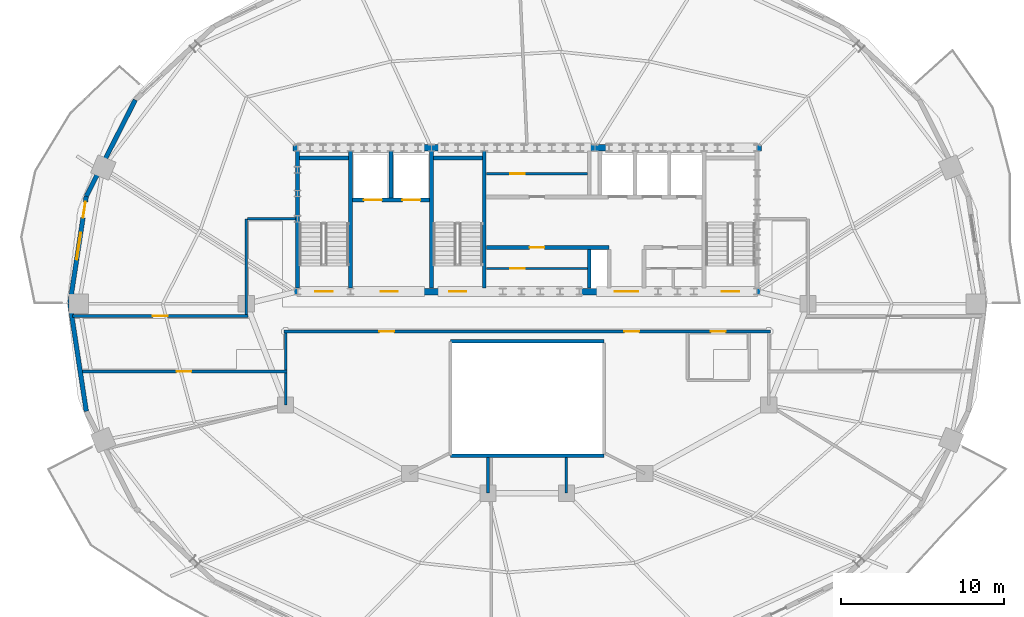
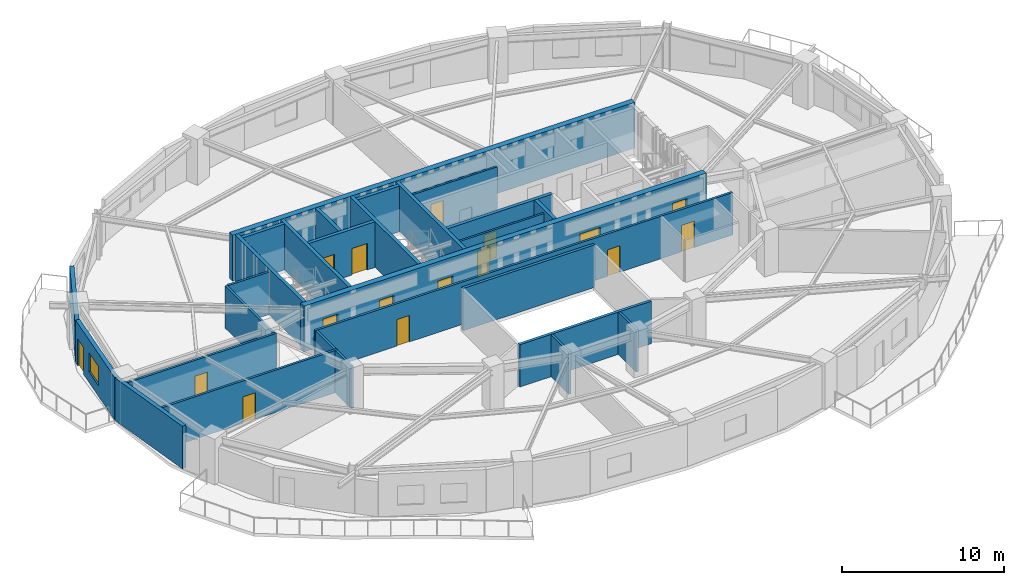
# One storey, part 4 of 11: 28 walls, 16 doors, 1 window, 17 openings.
"""IFC4 building model written with IfcOpenShell, lengths in metres."""

from ifc_helpers import new_model, si_unit, direction, frame, frame_2d, origin, place, context, subcontext, project, spatial, rectangle, extrude, material, layer, layer_set, type_object, element, fill, save


model = new_model("IFC4")

# Units and contexts
model_context = context("Model", 3, precision=1e-05, world=origin(), true_north=direction((0.0, 1.0)))
body_context = subcontext(model_context, "Body", "Model", "MODEL_VIEW")
ifc_project = project(units=[si_unit("LENGTHUNIT", "METRE"), si_unit("AREAUNIT", "SQUARE_METRE"), si_unit("VOLUMEUNIT", "CUBIC_METRE"), si_unit("PLANEANGLEUNIT", "RADIAN"), si_unit("MASSUNIT", "GRAM", prefix="KILO")], contexts=[model_context])

# Site, building, storey
site_placement = place(None, origin())
site = spatial("IfcSite", under=ifc_project, at=site_placement, CompositionType="ELEMENT")
building_placement = place(site_placement, origin())
building = spatial("IfcBuilding", under=site, at=building_placement, Name="Haldorwick Loom Tower", CompositionType="ELEMENT")
storey_placement = place(building_placement, frame((0.0, 0.0, 215.199951171875)))
storey = spatial("IfcBuildingStorey", under=building, at=storey_placement, Name="L58", CompositionType="ELEMENT", Elevation=215.199951171875)

# Wall
ifc_material_1 = material(Name="Pressed Clay Face Brick and Insulated Masonry Backup Assembly", Category="masonry")
ifc_layer_1 = layer(ifc_material_1, 0.280029296875, Name="Pressed Clay Face Brick and Insulated Masonry Backup Assembly", Category="masonry")
ifc_layer_set_1 = layer_set([ifc_layer_1], Name="Pressed Clay Face Brick and Insulated Masonry Backup Assembly")
wall_type_1 = type_object("IfcWallType", Name="ARC-WL-EXT280", PredefinedType="STANDARD", material=ifc_layer_set_1)
wall_1_placement = place(storey_placement, frame((11.994384765625, 38.4853515625, 0.0), z_axis=(0.0, 0.0, 1.0), x_axis=(-0.453032066879, -0.89149422117, 0.0)))
element("IfcWall", 1, at=wall_1_placement, inside=storey, type_object=wall_type_1, Name="L58 Brick Pier and Spandrel Wall 11", PredefinedType="STANDARD", context=body_context, shape_type="SweptSolid", body=[
    extrude(rectangle(XDim=6.618896484375, YDim=0.280029296875, at=frame_2d((3.3095703125, 0.0))), origin(), (0.0, 0.0, 1.0), 2.64111328125),
])

# Wall, openings, door, window
wall_2_placement = place(storey_placement, frame((8.995849609375, 32.584716796875, 0.0), z_axis=(0.0, 0.0, 1.0), x_axis=(-0.150467697578, -0.988614926038, 0.0)))
wall_2 = element("IfcWall", 2, at=wall_2_placement, inside=storey, type_object=wall_type_1, Name="L58 Brick Pier and Spandrel Wall 12", PredefinedType="STANDARD", context=body_context, shape_type="SweptSolid", body=[
    extrude(rectangle(XDim=6.66064453125, YDim=0.280029296875, at=frame_2d((3.330322265625, 0.0))), origin(), (0.0, 0.0, 1.0), 3.2099609375),
])
opening_1_placement = place(wall_2_placement, frame((0.340087890625, 0.0, 0.0)))
opening_1 = element("IfcOpeningElement", 3, at=opening_1_placement, cuts=wall_2, Name="Opening D-BL10", PredefinedType="OPENING", context=body_context, shape_type="SweptSolid", body=[
    extrude(rectangle(XDim=1.0, YDim=2.0400390625, at=frame_2d((0.5, 1.02001953125))), frame((0.0, 0.14990234375, 0.0), z_axis=(0.0, -1.0, 0.0), x_axis=(1.0, 0.0, 0.0)), (0.0, 0.0, 1.0), 0.300048828125),
])
opening_2_placement = place(wall_2_placement, frame((2.2646484375, 0.0, 0.800048828125)))
opening_2 = element("IfcOpeningElement", 4, at=opening_2_placement, cuts=wall_2, Name="Opening W-01B", PredefinedType="OPENING", context=body_context, shape_type="SweptSolid", body=[
    extrude(rectangle(XDim=1.64990234375, YDim=1.449951171875, at=frame_2d((0.824951171875, 0.72509765625))), frame((0.0, 0.14990234375, 0.0), z_axis=(0.0, -1.0, 0.0), x_axis=(1.0, 0.0, 0.0)), (0.0, 0.0, 1.0), 0.300048828125),
])
ifc_material_2 = material(Name="Thermally Broken Anodized Aluminium Curtain Wall Framing", Category="aluminium")
door_type_1 = type_object("IfcDoorType", Name="ARC-DR-BAL100", OperationType="NOTDEFINED", PredefinedType="DOOR", material=ifc_material_2)
door_1_placement = place(opening_1_placement, origin())
door_1 = element("IfcDoor", 5, at=door_1_placement, inside=storey, type_object=door_type_1, Name="L58 Outdoor Terrace Door SLB-L58-BAL_WNW", OperationType="SINGLE_SWING_RIGHT", OverallHeight=2.0400390625, OverallWidth=1.0, PredefinedType="DOOR", context=body_context, shape_type="SweptSolid", body=[
    extrude(rectangle(XDim=1.0, YDim=2.0400390625, at=frame_2d((0.5, 1.02001953125))), frame((0.0, 0.02490234375, 0.0), z_axis=(0.0, -1.0, 0.0), x_axis=(1.0, 0.0, 0.0)), (0.0, 0.0, 1.0), 0.050048828125),
])
fill(opening_1, door_1)
ifc_material_3 = material(Name="Triple-Glazed Low-E Argon Insulated Glazing Unit", Category="glass")
window_type = type_object("IfcWindowType", Name="ARC-WIN-W165", PartitioningType="SINGLE_PANEL", PredefinedType="WINDOW", material=ifc_material_3)
window_placement = place(opening_2_placement, origin())
window = element("IfcWindow", 6, at=window_placement, inside=storey, type_object=window_type, Name="L58 Deep-Set Zone 7A Window 12", OverallHeight=1.449951171875, OverallWidth=1.64990234375, PartitioningType="SINGLE_PANEL", PredefinedType="WINDOW", context=body_context, shape_type="SweptSolid", body=[
    extrude(rectangle(XDim=1.64990234375, YDim=1.449951171875, at=frame_2d((0.824951171875, 0.72509765625))), frame((0.0, 0.030029296875, 0.0), z_axis=(0.0, -1.0, 0.0), x_axis=(1.0, 0.0, 0.0)), (0.0, 0.0, 1.0), 0.06005859375),
])
fill(opening_2, window)

# Wall
wall_3_placement = place(storey_placement, frame((7.99365234375, 26.0, 0.0), z_axis=(0.0, 0.0, 1.0), x_axis=(0.150467697578, -0.988614926038, 0.0)))
element("IfcWall", 7, at=wall_3_placement, inside=storey, type_object=wall_type_1, Name="L58 Brick Pier and Spandrel Wall 13", PredefinedType="STANDARD", context=body_context, shape_type="SweptSolid", body=[
    extrude(rectangle(XDim=6.66064453125, YDim=0.280029296875, at=frame_2d((3.330322265625, 0.0))), origin(), (0.0, 0.0, 1.0), 3.2099609375),
])

# Wall, openings, doors
ifc_material_4 = material(Name="Fire-Rated Type X Gypsum Stud Assembly EI 60")
ifc_layer_2 = layer(ifc_material_4, 0.159912109375, Name="Fire-Rated Type X Gypsum Stud Assembly EI 60")
ifc_layer_set_2 = layer_set([ifc_layer_2], Name="Fire-Rated Type X Gypsum Stud Assembly EI 60")
wall_type_2 = type_object("IfcWallType", Name="ARC-WL-FIRE160", PredefinedType="PARTITIONING", material=ifc_layer_set_2)
wall_4_placement = place(storey_placement, frame((21.10009765625, 24.300048828125, 0.0), z_axis=(0.0, 0.0, 1.0), x_axis=(1.0, 0.0, 0.0)))
wall_4 = element("IfcWall", 8, at=wall_4_placement, inside=storey, type_object=wall_type_2, Name="L58 Residential Fire Partition L58-CR-SP", PredefinedType="PARTITIONING", context=body_context, shape_type="SweptSolid", body=[
    extrude(rectangle(XDim=29.7998046875, YDim=0.159912109375, at=frame_2d((14.89990234375, 0.0))), origin(), (0.0, 0.0, 1.0), 3.195068359375),
])
opening_3_placement = place(wall_4_placement, frame((20.8515625, 0.0, 0.0)))
opening_3 = element("IfcOpeningElement", 9, at=opening_3_placement, cuts=wall_4, Name="Opening D-FD60A", PredefinedType="OPENING", context=body_context, shape_type="SweptSolid", body=[
    extrude(rectangle(XDim=0.89990234375, YDim=2.0, at=frame_2d((0.449951171875, 1.0))), frame((0.0, 0.08984375, 0.0), z_axis=(0.0, -1.0, 0.0), x_axis=(1.0, 0.0, 0.0)), (0.0, 0.0, 1.0), 0.179931640625),
])
opening_4_placement = place(wall_4_placement, frame((5.841064453125, 0.0, 0.0)))
opening_4 = element("IfcOpeningElement", 10, at=opening_4_placement, cuts=wall_4, Name="Opening D-FD60A", PredefinedType="OPENING", context=body_context, shape_type="SweptSolid", body=[
    extrude(rectangle(XDim=0.89990234375, YDim=2.0, at=frame_2d((0.449951171875, 1.0))), frame((0.0, 0.08984375, 0.0), z_axis=(0.0, -1.0, 0.0), x_axis=(1.0, 0.0, 0.0)), (0.0, 0.0, 1.0), 0.179931640625),
])
opening_5_placement = place(wall_4_placement, frame((26.1494140625, 0.0, 0.0)))
opening_5 = element("IfcOpeningElement", 11, at=opening_5_placement, cuts=wall_4, Name="Opening D-FD60A", PredefinedType="OPENING", context=body_context, shape_type="SweptSolid", body=[
    extrude(rectangle(XDim=0.89990234375, YDim=2.0, at=frame_2d((0.449951171875, 1.0))), frame((0.0, 0.08984375, 0.0), z_axis=(0.0, -1.0, 0.0), x_axis=(1.0, 0.0, 0.0)), (0.0, 0.0, 1.0), 0.179931640625),
])
ifc_material_5 = material(Name="Hollow Steel Fire Door Assembly", Category="steel")
door_type_2 = type_object("IfcDoorType", Name="ARC-DR-FD60-90", OperationType="NOTDEFINED", PredefinedType="DOOR", material=ifc_material_5)
door_2_placement = place(opening_3_placement, origin())
door_2 = element("IfcDoor", 12, at=door_2_placement, inside=storey, type_object=door_type_2, Name="L58 L58 Central Residential Corridor to Tenant Seminar Meeting Room 1 Do", OperationType="SINGLE_SWING_LEFT", OverallHeight=2.0, OverallWidth=0.89990234375, PredefinedType="DOOR", context=body_context, shape_type="SweptSolid", body=[
    extrude(rectangle(XDim=0.89990234375, YDim=2.0, at=frame_2d((0.449951171875, 1.0))), frame((0.0, 0.02490234375, 0.0), z_axis=(0.0, -1.0, 0.0), x_axis=(1.0, 0.0, 0.0)), (0.0, 0.0, 1.0), 0.050048828125),
])
fill(opening_3, door_2)
door_3_placement = place(opening_4_placement, origin())
door_3 = element("IfcDoor", 13, at=door_3_placement, inside=storey, type_object=door_type_2, Name="L58 L58 Central Residential Corridor to Tenant Seminar Meeting Room 2 Do", OperationType="SINGLE_SWING_RIGHT", OverallHeight=2.0, OverallWidth=0.89990234375, PredefinedType="DOOR", context=body_context, shape_type="SweptSolid", body=[
    extrude(rectangle(XDim=0.89990234375, YDim=2.0, at=frame_2d((0.449951171875, 1.0))), frame((0.0, 0.02490234375, 0.0), z_axis=(0.0, -1.0, 0.0), x_axis=(1.0, 0.0, 0.0)), (0.0, 0.0, 1.0), 0.050048828125),
])
fill(opening_4, door_3)
door_4_placement = place(opening_5_placement, origin())
door_4 = element("IfcDoor", 14, at=door_4_placement, inside=storey, type_object=door_type_2, Name="L58 L58 Central Residential Corridor to Common Accessible WC Door", OperationType="SINGLE_SWING_LEFT", OverallHeight=2.0, OverallWidth=0.89990234375, PredefinedType="DOOR", context=body_context, shape_type="SweptSolid", body=[
    extrude(rectangle(XDim=0.89990234375, YDim=2.0, at=frame_2d((0.449951171875, 1.0))), frame((0.0, 0.02490234375, 0.0), z_axis=(0.0, -1.0, 0.0), x_axis=(1.0, 0.0, 0.0)), (0.0, 0.0, 1.0), 0.050048828125),
])
fill(opening_5, door_4)

# Wall, opening, door
wall_5_placement = place(storey_placement, frame((8.6708984375, 21.85009765625, 0.0), z_axis=(0.0, 0.0, 1.0), x_axis=(1.0, 0.0, 0.0)))
wall_5 = element("IfcWall", 15, at=wall_5_placement, inside=storey, type_object=wall_type_2, Name="L58 Residential Fire Partition L58-CR-SPW", PredefinedType="PARTITIONING", context=body_context, shape_type="SweptSolid", body=[
    extrude(rectangle(XDim=12.629150390625, YDim=0.159912109375, at=frame_2d((6.314453125, 0.0))), origin(), (0.0, 0.0, 1.0), 3.195068359375),
])
opening_6_placement = place(wall_5_placement, frame((5.864501953125, 0.0, 0.0)))
opening_6 = element("IfcOpeningElement", 16, at=opening_6_placement, cuts=wall_5, Name="Opening D-FD60A", PredefinedType="OPENING", context=body_context, shape_type="SweptSolid", body=[
    extrude(rectangle(XDim=0.89990234375, YDim=2.0, at=frame_2d((0.449951171875, 1.0))), frame((0.0, 0.08984375, 0.0), z_axis=(0.0, -1.0, 0.0), x_axis=(1.0, 0.0, 0.0)), (0.0, 0.0, 1.0), 0.179931640625),
])
door_5_placement = place(opening_6_placement, origin())
door_5 = element("IfcDoor", 17, at=door_5_placement, inside=storey, type_object=door_type_2, Name="L58 L58 Central Residential Corridor to Wellness Therapy Room 2 Door", OperationType="SINGLE_SWING_RIGHT", OverallHeight=2.0, OverallWidth=0.89990234375, PredefinedType="DOOR", context=body_context, shape_type="SweptSolid", body=[
    extrude(rectangle(XDim=0.89990234375, YDim=2.0, at=frame_2d((0.449951171875, 1.0))), frame((0.0, 0.02490234375, 0.0), z_axis=(0.0, -1.0, 0.0), x_axis=(1.0, 0.0, 0.0)), (0.0, 0.0, 1.0), 0.050048828125),
])
fill(opening_6, door_5)

# Wall
wall_6_placement = place(storey_placement, frame((21.199951171875, 21.93310546875, 0.0), z_axis=(0.0, 0.0, 1.0), x_axis=(0.0, 1.0, 0.0)))
element("IfcWall", 18, at=wall_6_placement, inside=storey, type_object=wall_type_2, Name="L58 Residential Fire Partition L58-CR-STW", PredefinedType="PARTITIONING", context=body_context, shape_type="SweptSolid", body=[
    extrude(rectangle(XDim=2.283935546875, YDim=0.159912109375, at=frame_2d((1.14208984375, 0.0))), origin(), (0.0, 0.0, 1.0), 3.195068359375),
])

# Wall, opening, door
wall_7_placement = place(storey_placement, frame((8.1533203125, 25.25, 0.0), z_axis=(0.0, 0.0, 1.0), x_axis=(1.0, 0.0, 0.0)))
wall_7 = element("IfcWall", 19, at=wall_7_placement, inside=storey, type_object=wall_type_2, Name="L58 Residential Fire Partition L58-CR-NWL", PredefinedType="PARTITIONING", context=body_context, shape_type="SweptSolid", body=[
    extrude(rectangle(XDim=10.74658203125, YDim=0.159912109375, at=frame_2d((5.373291015625, 0.0))), origin(), (0.0, 0.0, 1.0), 3.195068359375),
])
opening_7_placement = place(wall_7_placement, frame((4.92333984375, 0.0, 0.0)))
opening_7 = element("IfcOpeningElement", 20, at=opening_7_placement, cuts=wall_7, Name="Opening D-FD60A", PredefinedType="OPENING", context=body_context, shape_type="SweptSolid", body=[
    extrude(rectangle(XDim=0.89990234375, YDim=2.0, at=frame_2d((0.449951171875, 1.0))), frame((0.0, 0.08984375, 0.0), z_axis=(0.0, -1.0, 0.0), x_axis=(1.0, 0.0, 0.0)), (0.0, 0.0, 1.0), 0.179931640625),
])
door_6_placement = place(opening_7_placement, frame((0.89990234375, 0.0, 0.0), z_axis=(0.0, 0.0, 1.0), x_axis=(-1.0, 0.0, 0.0)))
door_6 = element("IfcDoor", 21, at=door_6_placement, inside=storey, type_object=door_type_2, Name="L58 Tenant Seminar Meeting Room 5 to L58 Central Residential Corridor Do", OperationType="SINGLE_SWING_LEFT", OverallHeight=2.0, OverallWidth=0.89990234375, PredefinedType="DOOR", context=body_context, shape_type="SweptSolid", body=[
    extrude(rectangle(XDim=0.89990234375, YDim=2.0, at=frame_2d((0.449951171875, 1.0))), frame((0.0, 0.02490234375, 0.0), z_axis=(0.0, -1.0, 0.0), x_axis=(1.0, 0.0, 0.0)), (0.0, 0.0, 1.0), 0.050048828125),
])
fill(opening_7, door_6)

# Walls
wall_8_placement = place(storey_placement, frame((18.800048828125, 25.3330078125, 0.0), z_axis=(0.0, 0.0, 1.0), x_axis=(0.0, 1.0, 0.0)))
element("IfcWall", 22, at=wall_8_placement, inside=storey, type_object=wall_type_2, Name="L58 Residential Fire Partition L58-CR-W0", PredefinedType="PARTITIONING", context=body_context, shape_type="SweptSolid", body=[
    extrude(rectangle(XDim=5.866943359375, YDim=0.159912109375, at=frame_2d((2.93359375, 0.0))), origin(), (0.0, 0.0, 1.0), 3.195068359375),
])
wall_9_placement = place(storey_placement, frame((18.883056640625, 31.199951171875, 0.0), z_axis=(0.0, 0.0, 1.0), x_axis=(1.0, 0.0, 0.0)))
element("IfcWall", 23, at=wall_9_placement, inside=storey, type_object=wall_type_2, Name="L58 Residential Fire Partition L58-CR-WNJ", PredefinedType="PARTITIONING", context=body_context, shape_type="SweptSolid", body=[
    extrude(rectangle(XDim=2.923828125, YDim=0.159912109375, at=frame_2d((1.4619140625, 0.0))), origin(), (0.0, 0.0, 1.0), 3.195068359375),
])
for number, where, z_axis, x_axis, name in (
    (24, (38.39990234375, 16.596923828125, 0.0), (0.0, 0.0, 1.0), (0.0, -1.0, 0.0), "L58 Residential Fire Partition L58-ICA-04"),
    (25, (33.60009765625, 16.596923828125, 0.0), (0.0, 0.0, 1.0), (0.0, -1.0, 0.0), "L58 Residential Fire Partition L58-ICA-05"),
):
    element("IfcWall", number, at=place(storey_placement, frame(where, z_axis=z_axis, x_axis=x_axis)), inside=storey, type_object=wall_type_2, Name=name, PredefinedType="PARTITIONING", context=body_context, shape_type="SweptSolid", body=[
        extrude(rectangle(XDim=2.197021484375, YDim=0.159912109375, at=frame_2d((1.0986328125, 0.0))), origin(), (0.0, 0.0, 1.0), 3.195068359375),
    ])
wall_10_placement = place(storey_placement, frame((21.199951171875, 21.76708984375, 0.0), z_axis=(0.0, 0.0, 1.0), x_axis=(0.0, -1.0, 0.0)))
element("IfcWall", 26, at=wall_10_placement, inside=storey, type_object=wall_type_2, Name="L58 Residential Fire Partition L58-ICA-07", PredefinedType="PARTITIONING", context=body_context, shape_type="SweptSolid", body=[
    extrude(rectangle(XDim=1.967041015625, YDim=0.159912109375, at=frame_2d((0.9833984375, 0.0))), origin(), (0.0, 0.0, 1.0), 3.195068359375),
])
ifc_material_6 = material(Name="Fire-Rated Type X Gypsum Stud Assembly EI 120")
ifc_layer_3 = layer(ifc_material_6, 0.199951171875, Name="Fire-Rated Type X Gypsum Stud Assembly EI 120")
ifc_layer_set_3 = layer_set([ifc_layer_3], Name="Fire-Rated Type X Gypsum Stud Assembly EI 120")
wall_type_3 = type_object("IfcWallType", Name="ARC-WL-FIRE200", PredefinedType="PARTITIONING", material=ifc_layer_set_3)
for number, where, z_axis, x_axis, name in (
    (27, (31.300048828125, 23.699951171875, 0.0), (0.0, 0.0, 1.0), (1.0, 0.0, 0.0), "L58 Atrium Fire Enclosure Wall N"),
    (28, (40.699951171875, 16.699951171875, 0.0), (0.0, 0.0, 1.0), (-1.0, 0.0, 0.0), "L58 Atrium Fire Enclosure Wall S"),
):
    element("IfcWall", number, at=place(storey_placement, frame(where, z_axis=z_axis, x_axis=x_axis)), inside=storey, type_object=wall_type_3, Name=name, PredefinedType="PARTITIONING", context=body_context, shape_type="SweptSolid", body=[
        extrude(rectangle(XDim=9.39990234375, YDim=0.199951171875, at=frame_2d((4.699951171875, 0.0))), origin(), (0.0, 0.0, 1.0), 3.195068359375),
    ])

# Wall, opening, door
ifc_layer_4 = layer(ifc_material_4, 0.139892578125, Name="Fire-Rated Type X Gypsum Stud Assembly EI 60")
ifc_layer_set_4 = layer_set([ifc_layer_4], Name="Fire-Rated Type X Gypsum Stud Assembly EI 60")
wall_type_4 = type_object("IfcWallType", Name="ARC-WL-PART140", PredefinedType="PARTITIONING", material=ifc_layer_set_4)
wall_11_placement = place(storey_placement, frame((33.492919921875, 33.9599609375, 0.0), z_axis=(0.0, 0.0, 1.0), x_axis=(1.0, 0.0, 0.0)))
wall_11 = element("IfcWall", 29, at=wall_11_placement, inside=storey, type_object=wall_type_4, Name="L58 Alcove Partition", PredefinedType="PARTITIONING", context=body_context, shape_type="SweptSolid", body=[
    extrude(rectangle(XDim=6.18408203125, YDim=0.139892578125, at=frame_2d((3.092041015625, 0.0))), origin(), (0.0, 0.0, 1.0), 3.195068359375),
])
opening_8_placement = place(wall_11_placement, frame((1.45703125, 0.0, 0.0)))
opening_8 = element("IfcOpeningElement", 30, at=opening_8_placement, cuts=wall_11, Name="Opening D-FD60A", PredefinedType="OPENING", context=body_context, shape_type="SweptSolid", body=[
    extrude(rectangle(XDim=0.89990234375, YDim=2.0, at=frame_2d((0.449951171875, 1.0))), frame((0.0, 0.079833984375, 0.0), z_axis=(0.0, -1.0, 0.0), x_axis=(1.0, 0.0, 0.0)), (0.0, 0.0, 1.0), 0.159912109375),
])
door_7_placement = place(opening_8_placement, frame((0.89990234375, 0.0, 0.0), z_axis=(0.0, 0.0, 1.0), x_axis=(-1.0, 0.0, 0.0)))
door_7 = element("IfcDoor", 31, at=door_7_placement, inside=storey, type_object=door_type_2, Name="L58 Trunk Store Door", OperationType="SINGLE_SWING_LEFT", OverallHeight=2.0, OverallWidth=0.89990234375, PredefinedType="DOOR", context=body_context, shape_type="SweptSolid", body=[
    extrude(rectangle(XDim=0.89990234375, YDim=2.0, at=frame_2d((0.449951171875, 1.0))), frame((0.0, 0.02490234375, 0.0), z_axis=(0.0, -1.0, 0.0), x_axis=(1.0, 0.0, 0.0)), (0.0, 0.0, 1.0), 0.050048828125),
])
fill(opening_8, door_7)

wall_12_placement = place(storey_placement, frame((33.492919921875, 28.159912109375, 0.0), z_axis=(0.0, 0.0, 1.0), x_axis=(1.0, 0.0, 0.0)))
wall_12 = element("IfcWall", 32, at=wall_12_placement, inside=storey, type_object=wall_type_4, Name="L58 Mid-Bank Horizontal Partition", PredefinedType="PARTITIONING", context=body_context, shape_type="SweptSolid", body=[
    extrude(rectangle(XDim=6.18408203125, YDim=0.139892578125, at=frame_2d((3.092041015625, 0.0))), origin(), (0.0, 0.0, 1.0), 3.195068359375),
])
opening_9_placement = place(wall_12_placement, frame((1.45703125, 0.0, 0.0)))
opening_9 = element("IfcOpeningElement", 33, at=opening_9_placement, cuts=wall_12, Name="Opening D-FD60A", PredefinedType="OPENING", context=body_context, shape_type="SweptSolid", body=[
    extrude(rectangle(XDim=0.89990234375, YDim=2.0, at=frame_2d((0.449951171875, 1.0))), frame((0.0, 0.079833984375, 0.0), z_axis=(0.0, -1.0, 0.0), x_axis=(1.0, 0.0, 0.0)), (0.0, 0.0, 1.0), 0.159912109375),
])
door_8_placement = place(opening_9_placement, origin())
door_8 = element("IfcDoor", 34, at=door_8_placement, inside=storey, type_object=door_type_2, Name="L58 Archive Store Door", OperationType="SINGLE_SWING_RIGHT", OverallHeight=2.0, OverallWidth=0.89990234375, PredefinedType="DOOR", context=body_context, shape_type="SweptSolid", body=[
    extrude(rectangle(XDim=0.89990234375, YDim=2.0, at=frame_2d((0.449951171875, 1.0))), frame((0.0, 0.02490234375, 0.0), z_axis=(0.0, -1.0, 0.0), x_axis=(1.0, 0.0, 0.0)), (0.0, 0.0, 1.0), 0.050048828125),
])
fill(opening_9, door_8)

# Wall, openings, doors
ifc_material_7 = material(Name="Concrete C50 (50 MPa)", Category="concrete")
ifc_layer_5 = layer(ifc_material_7, 0.39990234375, Name="Concrete C50 (50 MPa)", Category="concrete")
ifc_layer_set_5 = layer_set([ifc_layer_5], Name="Concrete C50 (50 MPa)")
wall_type_5 = type_object("IfcWallType", Name="STR-WL-CORE400", PredefinedType="SHEAR", material=ifc_layer_set_5)
wall_13_placement = place(storey_placement, frame((21.64990234375, 26.75, 0.0), z_axis=(0.0, 0.0, 1.0), x_axis=(1.0, 0.0, 0.0)))
wall_13 = element("IfcWall", 35, at=wall_13_placement, inside=storey, type_object=wall_type_5, Name="L58 Core Shear Wall S", PredefinedType="SHEAR", context=body_context, shape_type="SweptSolid", body=[
    extrude(rectangle(XDim=28.7001953125, YDim=0.39990234375, at=frame_2d((14.35009765625, 0.0))), origin(), (0.0, 0.0, 1.0), 3.449951171875),
])
opening_10_placement = place(wall_13_placement, frame((1.375, 0.0, 0.0)))
opening_10 = element("IfcOpeningElement", 36, at=opening_10_placement, cuts=wall_13, Name="Opening D-FD60", PredefinedType="OPENING", context=body_context, shape_type="SweptSolid", body=[
    extrude(rectangle(XDim=1.050048828125, YDim=2.0, at=frame_2d((0.52490234375, 1.0))), frame((0.0, 0.2099609375, 0.0), z_axis=(0.0, -1.0, 0.0), x_axis=(1.0, 0.0, 0.0)), (0.0, 0.0, 1.0), 0.419921875),
])
opening_11_placement = place(wall_13_placement, frame((5.375, 0.0, 0.0)))
opening_11 = element("IfcOpeningElement", 37, at=opening_11_placement, cuts=wall_13, Name="Opening D-FD60", PredefinedType="OPENING", context=body_context, shape_type="SweptSolid", body=[
    extrude(rectangle(XDim=1.050048828125, YDim=2.0, at=frame_2d((0.52490234375, 1.0))), frame((0.0, 0.2099609375, 0.0), z_axis=(0.0, -1.0, 0.0), x_axis=(1.0, 0.0, 0.0)), (0.0, 0.0, 1.0), 0.419921875),
])
opening_12_placement = place(wall_13_placement, frame((9.574951171875, 0.0, 0.0)))
opening_12 = element("IfcOpeningElement", 38, at=opening_12_placement, cuts=wall_13, Name="Opening D-FD60", PredefinedType="OPENING", context=body_context, shape_type="SweptSolid", body=[
    extrude(rectangle(XDim=1.050048828125, YDim=2.0, at=frame_2d((0.52490234375, 1.0))), frame((0.0, 0.2099609375, 0.0), z_axis=(0.0, -1.0, 0.0), x_axis=(1.0, 0.0, 0.0)), (0.0, 0.0, 1.0), 0.419921875),
])
opening_13_placement = place(wall_13_placement, frame((19.705078125, 0.0, 0.0)))
opening_13 = element("IfcOpeningElement", 39, at=opening_13_placement, cuts=wall_13, Name="Opening D-LB15", PredefinedType="OPENING", context=body_context, shape_type="SweptSolid", body=[
    extrude(rectangle(XDim=1.449951171875, YDim=2.0, at=frame_2d((0.72509765625, 1.0))), frame((0.0, 0.2099609375, 0.0), z_axis=(0.0, -1.0, 0.0), x_axis=(1.0, 0.0, 0.0)), (0.0, 0.0, 1.0), 0.419921875),
])
opening_14_placement = place(wall_13_placement, frame((26.27490234375, 0.0, 0.0)))
opening_14 = element("IfcOpeningElement", 40, at=opening_14_placement, cuts=wall_13, Name="Opening D-FD60", PredefinedType="OPENING", context=body_context, shape_type="SweptSolid", body=[
    extrude(rectangle(XDim=1.050048828125, YDim=2.0, at=frame_2d((0.52490234375, 1.0))), frame((0.0, 0.2099609375, 0.0), z_axis=(0.0, -1.0, 0.0), x_axis=(1.0, 0.0, 0.0)), (0.0, 0.0, 1.0), 0.419921875),
])
door_type_3 = type_object("IfcDoorType", Name="ARC-DR-FD60", OperationType="NOTDEFINED", PredefinedType="DOOR", material=ifc_material_5)
door_9_placement = place(opening_10_placement, origin())
door_9 = element("IfcDoor", 41, at=door_9_placement, inside=storey, type_object=door_type_3, Name="L58 Exit Stair ST-01 Fire Door", OperationType="SINGLE_SWING_RIGHT", OverallHeight=2.0, OverallWidth=1.050048828125, PredefinedType="DOOR", context=body_context, shape_type="SweptSolid", body=[
    extrude(rectangle(XDim=1.050048828125, YDim=2.0, at=frame_2d((0.52490234375, 1.0))), frame((0.0, 0.02490234375, 0.0), z_axis=(0.0, -1.0, 0.0), x_axis=(1.0, 0.0, 0.0)), (0.0, 0.0, 1.0), 0.050048828125),
])
fill(opening_10, door_9)
door_10_placement = place(opening_11_placement, origin())
door_10 = element("IfcDoor", 42, at=door_10_placement, inside=storey, type_object=door_type_3, Name="L58 Firefighting Lift Lobby Fire Door", OperationType="SINGLE_SWING_LEFT", OverallHeight=2.0, OverallWidth=1.050048828125, PredefinedType="DOOR", context=body_context, shape_type="SweptSolid", body=[
    extrude(rectangle(XDim=1.050048828125, YDim=2.0, at=frame_2d((0.52490234375, 1.0))), frame((0.0, 0.02490234375, 0.0), z_axis=(0.0, -1.0, 0.0), x_axis=(1.0, 0.0, 0.0)), (0.0, 0.0, 1.0), 0.050048828125),
])
fill(opening_11, door_10)
door_11_placement = place(opening_12_placement, origin())
door_11 = element("IfcDoor", 43, at=door_11_placement, inside=storey, type_object=door_type_3, Name="L58 Exit Stair ST-03 Fire Door", OperationType="SINGLE_SWING_LEFT", OverallHeight=2.0, OverallWidth=1.050048828125, PredefinedType="DOOR", context=body_context, shape_type="SweptSolid", body=[
    extrude(rectangle(XDim=1.050048828125, YDim=2.0, at=frame_2d((0.52490234375, 1.0))), frame((0.0, 0.02490234375, 0.0), z_axis=(0.0, -1.0, 0.0), x_axis=(1.0, 0.0, 0.0)), (0.0, 0.0, 1.0), 0.050048828125),
])
fill(opening_12, door_11)
door_12_placement = place(opening_14_placement, origin())
door_12 = element("IfcDoor", 44, at=door_12_placement, inside=storey, type_object=door_type_3, Name="L58 Exit Stair ST-02 Fire Door", OperationType="SINGLE_SWING_LEFT", OverallHeight=2.0, OverallWidth=1.050048828125, PredefinedType="DOOR", context=body_context, shape_type="SweptSolid", body=[
    extrude(rectangle(XDim=1.050048828125, YDim=2.0, at=frame_2d((0.52490234375, 1.0))), frame((0.0, 0.02490234375, 0.0), z_axis=(0.0, -1.0, 0.0), x_axis=(1.0, 0.0, 0.0)), (0.0, 0.0, 1.0), 0.050048828125),
])
fill(opening_14, door_12)
ifc_material_8 = material(Name="Thermally Broken Anodized Aluminium and Tempered Glass", Category="aluminium")
door_type_4 = type_object("IfcDoorType", Name="ARC-DR-LOB150", OperationType="NOTDEFINED", PredefinedType="DOOR", material=ifc_material_8)
door_13_placement = place(opening_13_placement, frame((1.449951171875, 0.0, 0.0), z_axis=(0.0, 0.0, 1.0), x_axis=(-1.0, 0.0, 0.0)))
door_13 = element("IfcDoor", 45, at=door_13_placement, inside=storey, type_object=door_type_4, Name="L58 Passenger Lift Lobby Fire Door", OperationType="DOUBLE_DOOR_SINGLE_SWING", OverallHeight=2.0, OverallWidth=1.449951171875, PredefinedType="DOOR", context=body_context, shape_type="SweptSolid", body=[
    extrude(rectangle(XDim=1.449951171875, YDim=2.0, at=frame_2d((0.72509765625, 1.0))), frame((0.0, 0.02490234375, 0.0), z_axis=(0.0, -1.0, 0.0), x_axis=(1.0, 0.0, 0.0)), (0.0, 0.0, 1.0), 0.050048828125),
])
fill(opening_13, door_13)

# Walls
wall_14_placement = place(storey_placement, frame((50.35009765625, 35.550048828125, 0.0), z_axis=(0.0, 0.0, 1.0), x_axis=(-1.0, 0.0, 0.0)))
element("IfcWall", 46, at=wall_14_placement, inside=storey, type_object=wall_type_5, Name="L58 Core Shear Wall N", PredefinedType="SHEAR", context=body_context, shape_type="SweptSolid", body=[
    extrude(rectangle(XDim=28.7001953125, YDim=0.39990234375, at=frame_2d((14.35009765625, 0.0))), origin(), (0.0, 0.0, 1.0), 3.449951171875),
])
ifc_layer_6 = layer(ifc_material_7, 0.239990234375, Name="Concrete C50 (50 MPa)", Category="concrete")
ifc_layer_set_6 = layer_set([ifc_layer_6], Name="Concrete C50 (50 MPa)")
wall_type_6 = type_object("IfcWallType", Name="STR-WL-SHAFT240", PredefinedType="SHEAR", material=ifc_layer_set_6)
for number, where, z_axis, x_axis, name in (
    (47, (21.929931640625, 35.346923828125, 0.0), (0.0, 0.0, 1.0), (0.0, -1.0, 0.0), "L58 Core Shear Wall W"),
    (48, (25.169921875, 26.952880859375, 0.0), (0.0, 0.0, 1.0), (0.0, 1.0, 0.0), "L58 Core Shear Wall 1"),
):
    element("IfcWall", number, at=place(storey_placement, frame(where, z_axis=z_axis, x_axis=x_axis)), inside=storey, type_object=wall_type_6, Name=name, PredefinedType="SHEAR", context=body_context, shape_type="SweptSolid", body=[
        extrude(rectangle(XDim=8.39404296875, YDim=0.239990234375, at=frame_2d((4.197021484375, 0.0))), origin(), (0.0, 0.0, 1.0), 3.449951171875),
    ])
wall_15_placement = place(storey_placement, frame((22.052978515625, 34.919921875, 0.0), z_axis=(0.0, 0.0, 1.0), x_axis=(1.0, 0.0, 0.0)))
element("IfcWall", 49, at=wall_15_placement, inside=storey, type_object=wall_type_6, Name="L58 Core Shear Wall 1N", PredefinedType="SHEAR", context=body_context, shape_type="SweptSolid", body=[
    extrude(rectangle(XDim=2.994140625, YDim=0.239990234375, at=frame_2d((1.4970703125, 0.0))), origin(), (0.0, 0.0, 1.0), 3.449951171875),
])
for number, where, z_axis, x_axis, name in (
    (50, (30.1298828125, 26.952880859375, 0.0), (0.0, 0.0, 1.0), (0.0, 1.0, 0.0), "L58 Core Shear Wall 2"),
    (51, (33.3701171875, 26.952880859375, 0.0), (0.0, 0.0, 1.0), (0.0, 1.0, 0.0), "L58 Core Shear Wall 3"),
):
    element("IfcWall", number, at=place(storey_placement, frame(where, z_axis=z_axis, x_axis=x_axis)), inside=storey, type_object=wall_type_6, Name=name, PredefinedType="SHEAR", context=body_context, shape_type="SweptSolid", body=[
        extrude(rectangle(XDim=8.39404296875, YDim=0.239990234375, at=frame_2d((4.197021484375, 0.0))), origin(), (0.0, 0.0, 1.0), 3.449951171875),
    ])
wall_16_placement = place(storey_placement, frame((30.2529296875, 34.919921875, 0.0), z_axis=(0.0, 0.0, 1.0), x_axis=(1.0, 0.0, 0.0)))
element("IfcWall", 52, at=wall_16_placement, inside=storey, type_object=wall_type_6, Name="L58 Core Shear Wall 3N", PredefinedType="SHEAR", context=body_context, shape_type="SweptSolid", body=[
    extrude(rectangle(XDim=2.994140625, YDim=0.239990234375, at=frame_2d((1.4970703125, 0.0))), origin(), (0.0, 0.0, 1.0), 3.449951171875),
])

# Wall, openings, doors
wall_17_placement = place(storey_placement, frame((25.29296875, 32.35009765625, 0.0), z_axis=(0.0, 0.0, 1.0), x_axis=(1.0, 0.0, 0.0)))
wall_17 = element("IfcWall", 53, at=wall_17_placement, inside=storey, type_object=wall_type_6, Name="L58 Core Shear Wall FF", PredefinedType="SHEAR", context=body_context, shape_type="SweptSolid", body=[
    extrude(rectangle(XDim=4.714111328125, YDim=0.239990234375, at=frame_2d((2.35693359375, 0.0))), origin(), (0.0, 0.0, 1.0), 3.449951171875),
])
opening_15_placement = place(wall_17_placement, frame((0.70703125, 0.0, 0.0)))
opening_15 = element("IfcOpeningElement", 54, at=opening_15_placement, cuts=wall_17, Name="Opening LD-FF1", PredefinedType="OPENING", context=body_context, shape_type="SweptSolid", body=[
    extrude(rectangle(XDim=1.10009765625, YDim=2.0, at=frame_2d((0.550048828125, 1.0))), frame((0.0, 0.1298828125, 0.0), z_axis=(0.0, -1.0, 0.0), x_axis=(1.0, 0.0, 0.0)), (0.0, 0.0, 1.0), 0.260009765625),
])
opening_16_placement = place(wall_17_placement, frame((3.056884765625, 0.0, 0.0)))
opening_16 = element("IfcOpeningElement", 55, at=opening_16_placement, cuts=wall_17, Name="Opening LD-FF2", PredefinedType="OPENING", context=body_context, shape_type="SweptSolid", body=[
    extrude(rectangle(XDim=1.10009765625, YDim=2.0, at=frame_2d((0.550048828125, 1.0))), frame((0.0, 0.1298828125, 0.0), z_axis=(0.0, -1.0, 0.0), x_axis=(1.0, 0.0, 0.0)), (0.0, 0.0, 1.0), 0.260009765625),
])
door_type_5 = type_object("IfcDoorType", Name="ARC-DR-LD-FF", OperationType="NOTDEFINED", PredefinedType="USERDEFINED", material=ifc_material_5)
door_14_placement = place(opening_15_placement, origin())
door_14 = element("IfcDoor", 56, at=door_14_placement, inside=storey, type_object=door_type_5, Name="L58 Lift LF-FF1 Sliding Landing Door", ObjectType="LANDING DOOR", OperationType="DOUBLE_DOOR_SLIDING", OverallHeight=2.0, OverallWidth=1.10009765625, PredefinedType="USERDEFINED", context=body_context, shape_type="SweptSolid", body=[
    extrude(rectangle(XDim=1.10009765625, YDim=2.0, at=frame_2d((0.550048828125, 1.0))), frame((0.0, 0.02490234375, 0.0), z_axis=(0.0, -1.0, 0.0), x_axis=(1.0, 0.0, 0.0)), (0.0, 0.0, 1.0), 0.050048828125),
])
fill(opening_15, door_14)
door_15_placement = place(opening_16_placement, origin())
door_15 = element("IfcDoor", 57, at=door_15_placement, inside=storey, type_object=door_type_5, Name="L58 Lift LF-FF2 Sliding Landing Door", ObjectType="LANDING DOOR", OperationType="DOUBLE_DOOR_SLIDING", OverallHeight=2.0, OverallWidth=1.10009765625, PredefinedType="USERDEFINED", context=body_context, shape_type="SweptSolid", body=[
    extrude(rectangle(XDim=1.10009765625, YDim=2.0, at=frame_2d((0.550048828125, 1.0))), frame((0.0, 0.02490234375, 0.0), z_axis=(0.0, -1.0, 0.0), x_axis=(1.0, 0.0, 0.0)), (0.0, 0.0, 1.0), 0.050048828125),
])
fill(opening_16, door_15)

# Wall
wall_18_placement = place(storey_placement, frame((27.64990234375, 32.472900390625, 0.0), z_axis=(0.0, 0.0, 1.0), x_axis=(0.0, 1.0, 0.0)))
element("IfcWall", 58, at=wall_18_placement, inside=storey, type_object=wall_type_6, Name="L58 Core Shear Wall FFD", PredefinedType="SHEAR", context=body_context, shape_type="SweptSolid", body=[
    extrude(rectangle(XDim=2.8740234375, YDim=0.239990234375, at=frame_2d((1.43701171875, 0.0))), origin(), (0.0, 0.0, 1.0), 3.449951171875),
])

# Wall, opening, door
wall_19_placement = place(storey_placement, frame((33.492919921875, 29.449951171875, 0.0), z_axis=(0.0, 0.0, 1.0), x_axis=(1.0, 0.0, 0.0)))
wall_19 = element("IfcWall", 59, at=wall_19_placement, inside=storey, type_object=wall_type_6, Name="L58 Core Shear Wall LS1", PredefinedType="SHEAR", context=body_context, shape_type="SweptSolid", body=[
    extrude(rectangle(XDim=7.507080078125, YDim=0.239990234375, at=frame_2d((3.75341796875, 0.0))), origin(), (0.0, 0.0, 1.0), 3.449951171875),
])
opening_17_placement = place(wall_19_placement, frame((2.656982421875, 0.0, 0.0)))
opening_17 = element("IfcOpeningElement", 60, at=opening_17_placement, cuts=wall_19, Name="Opening D-FD60A", PredefinedType="OPENING", context=body_context, shape_type="SweptSolid", body=[
    extrude(rectangle(XDim=0.89990234375, YDim=2.0, at=frame_2d((0.449951171875, 1.0))), frame((0.0, 0.1298828125, 0.0), z_axis=(0.0, -1.0, 0.0), x_axis=(1.0, 0.0, 0.0)), (0.0, 0.0, 1.0), 0.260009765625),
])
door_16_placement = place(opening_17_placement, origin())
door_16 = element("IfcDoor", 61, at=door_16_placement, inside=storey, type_object=door_type_2, Name="L58 Metering Closet Door", OperationType="SINGLE_SWING_LEFT", OverallHeight=2.0, OverallWidth=0.89990234375, PredefinedType="DOOR", context=body_context, shape_type="SweptSolid", body=[
    extrude(rectangle(XDim=0.89990234375, YDim=2.0, at=frame_2d((0.449951171875, 1.0))), frame((0.0, 0.02490234375, 0.0), z_axis=(0.0, -1.0, 0.0), x_axis=(1.0, 0.0, 0.0)), (0.0, 0.0, 1.0), 0.050048828125),
])
fill(opening_17, door_16)

# Wall
wall_20_placement = place(storey_placement, frame((39.800048828125, 26.952880859375, 0.0), z_axis=(0.0, 0.0, 1.0), x_axis=(0.0, 1.0, 0.0)))
element("IfcWall", 62, at=wall_20_placement, inside=storey, type_object=wall_type_6, Name="L58 Core Shear Wall MRW", PredefinedType="SHEAR", context=body_context, shape_type="SweptSolid", body=[
    extrude(rectangle(XDim=2.3740234375, YDim=0.239990234375, at=frame_2d((1.18701171875, 0.0))), origin(), (0.0, 0.0, 1.0), 3.449951171875),
])

save(model, "model.ifc")
